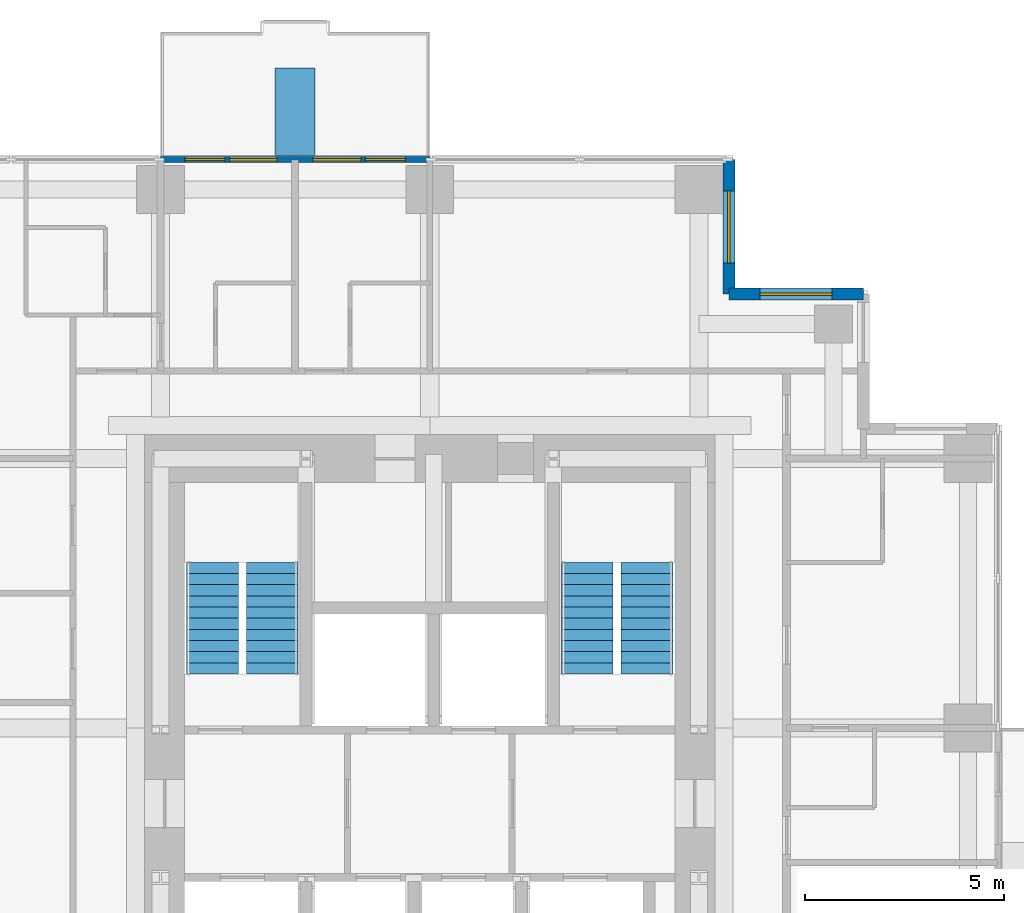
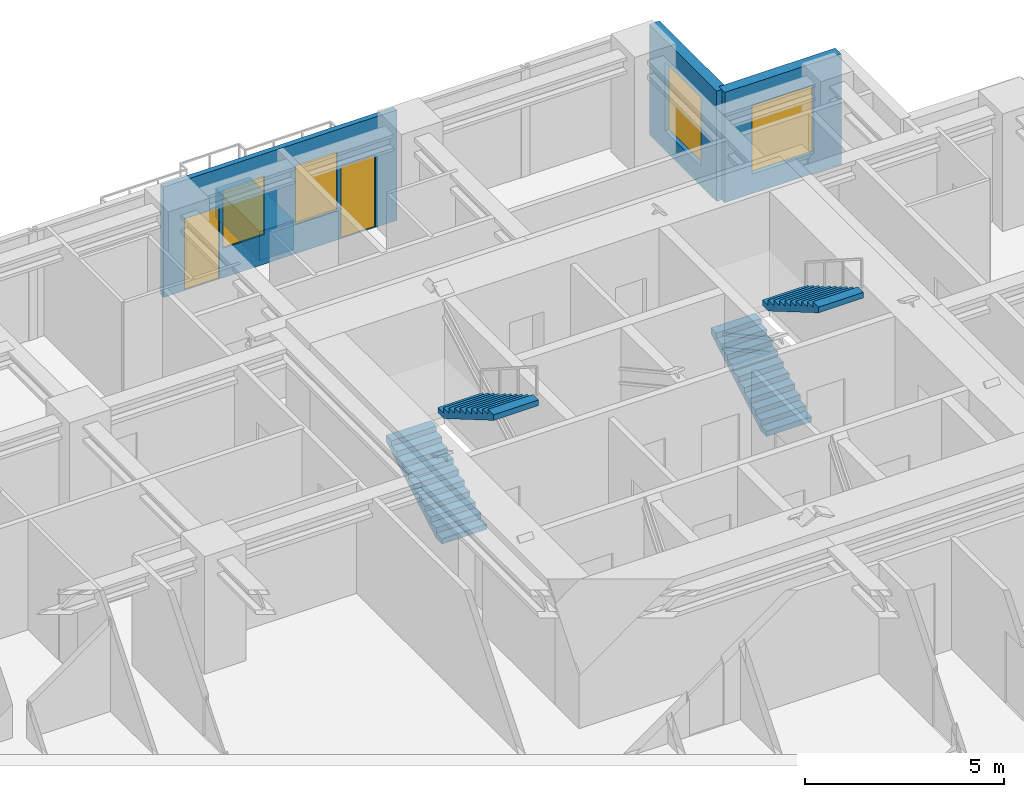
# One storey, part 9 of 10: 4 stair flights, 4 walls, 4 windows, 2 doors, 6 openings, 2 elements without a shape of their own.
"""IFC4 building model written with IfcOpenShell, lengths in metres."""

from ifc_helpers import new_model, si_unit, direction, frame, frame_2d, origin, place, context, subcontext, project, spatial, polyline, rectangle, outline, extrude, material, layer, layer_set, type_object, element, fill, aggregate, save


model = new_model("IFC4")

# Units and contexts
model_context = context("Model", 3, precision=1e-05, world=origin(), true_north=direction((0.0, 1.0)))
body_context = subcontext(model_context, "Body", "Model", "MODEL_VIEW")
ifc_project = project(units=[si_unit("LENGTHUNIT", "METRE"), si_unit("AREAUNIT", "SQUARE_METRE"), si_unit("VOLUMEUNIT", "CUBIC_METRE"), si_unit("PLANEANGLEUNIT", "RADIAN"), si_unit("MASSUNIT", "GRAM", prefix="KILO")], contexts=[model_context])

# Site, building, storey
site_placement = place(None, origin())
site = spatial("IfcSite", under=ifc_project, at=site_placement, CompositionType="ELEMENT")
building_placement = place(site_placement, origin())
building = spatial("IfcBuilding", under=site, at=building_placement, Name="Nyansa Garden Tower", CompositionType="ELEMENT")
storey_placement = place(building_placement, frame((0.0, 0.0, 178.199951171875)))
storey = spatial("IfcBuildingStorey", under=building, at=storey_placement, Name="L48", CompositionType="ELEMENT", Elevation=178.199951171875)

# Wall, openings, doors, windows
ifc_material_1 = material(Name="Black aluminium framed glazed screen", Category="aluminium")
ifc_layer_1 = layer(ifc_material_1, 0.14990234375)
ifc_layer_set_1 = layer_set([ifc_layer_1], Name="Balcony screen wall BW150")
wall_type_1 = type_object("IfcWallType", Name="Balcony screen wall BW150", PredefinedType="SOLIDWALL", material=ifc_layer_set_1)
wall_1_placement = place(storey_placement, frame((13.5, 34.5, 0.0), z_axis=(0.0, 0.0, 1.0), x_axis=(1.0, 0.0, 0.0)))
wall_1 = element("IfcWall", 1, at=wall_1_placement, inside=storey, type_object=wall_type_1, Name="Glazed screen wall L48 N", PredefinedType="SOLIDWALL", context=body_context, shape_type="SweptSolid", body=[
    extrude(rectangle(XDim=6.75, YDim=0.14990234375, at=frame_2d((3.375, 0.0))), origin(), (0.0, 0.0, 1.0), 3.375),
])
opening_1_placement = place(wall_1_placement, frame((0.612548828125, 0.0, 0.0)))
opening_1 = element("IfcOpeningElement", 2, at=opening_1_placement, cuts=wall_1, Name="Opening D20", PredefinedType="OPENING", context=body_context, shape_type="SweptSolid", body=[
    extrude(rectangle(XDim=1.0, YDim=2.199951171875, at=frame_2d((0.5, 1.10009765625))), frame((0.0, 0.0849609375, 0.0), z_axis=(0.0, -1.0, 0.0), x_axis=(1.0, 0.0, 0.0)), (0.0, 0.0, 1.0), 0.169921875),
])
opening_2_placement = place(wall_1_placement, frame((1.72509765625, 0.0, 0.89990234375)))
opening_2 = element("IfcOpeningElement", 3, at=opening_2_placement, cuts=wall_1, Name="Opening W6", PredefinedType="OPENING", context=body_context, shape_type="SweptSolid", body=[
    extrude(rectangle(XDim=1.199951171875, YDim=1.800048828125, at=frame_2d((0.60009765625, 0.89990234375))), frame((0.0, 0.0849609375, 0.0), z_axis=(0.0, -1.0, 0.0), x_axis=(1.0, 0.0, 0.0)), (0.0, 0.0, 1.0), 0.169921875),
])
opening_3_placement = place(wall_1_placement, frame((5.137451171875, 0.0, 0.0)))
opening_3 = element("IfcOpeningElement", 4, at=opening_3_placement, cuts=wall_1, Name="Opening D20", PredefinedType="OPENING", context=body_context, shape_type="SweptSolid", body=[
    extrude(rectangle(XDim=1.0, YDim=2.199951171875, at=frame_2d((0.5, 1.10009765625))), frame((0.0, 0.0849609375, 0.0), z_axis=(0.0, -1.0, 0.0), x_axis=(1.0, 0.0, 0.0)), (0.0, 0.0, 1.0), 0.169921875),
])
opening_4_placement = place(wall_1_placement, frame((3.824951171875, 0.0, 0.89990234375)))
opening_4 = element("IfcOpeningElement", 5, at=opening_4_placement, cuts=wall_1, Name="Opening W6", PredefinedType="OPENING", context=body_context, shape_type="SweptSolid", body=[
    extrude(rectangle(XDim=1.199951171875, YDim=1.800048828125, at=frame_2d((0.60009765625, 0.89990234375))), frame((0.0, 0.0849609375, 0.0), z_axis=(0.0, -1.0, 0.0), x_axis=(1.0, 0.0, 0.0)), (0.0, 0.0, 1.0), 0.169921875),
])
ifc_material_2 = material(Name="Black aluminium framed glazed door", Category="aluminium")
door_type = type_object("IfcDoorType", Name="Balcony door D20 1000x2200", OperationType="NOTDEFINED", PredefinedType="DOOR", material=ifc_material_2)
door_1_placement = place(opening_1_placement, origin())
door_1 = element("IfcDoor", 6, at=door_1_placement, inside=storey, type_object=door_type, Name="Balcony door L48", OperationType="SINGLE_SWING_LEFT", OverallHeight=2.199951171875, OverallWidth=1.0, PredefinedType="DOOR", context=body_context, shape_type="SweptSolid", body=[
    extrude(rectangle(XDim=1.0, YDim=2.199951171875, at=frame_2d((0.5, 1.10009765625))), frame((0.0, 0.02490234375, 0.0), z_axis=(0.0, -1.0, 0.0), x_axis=(1.0, 0.0, 0.0)), (0.0, 0.0, 1.0), 0.050048828125),
])
fill(opening_1, door_1)
door_2_placement = place(opening_3_placement, origin())
door_2 = element("IfcDoor", 7, at=door_2_placement, inside=storey, type_object=door_type, Name="Balcony door L48", OperationType="SINGLE_SWING_RIGHT", OverallHeight=2.199951171875, OverallWidth=1.0, PredefinedType="DOOR", context=body_context, shape_type="SweptSolid", body=[
    extrude(rectangle(XDim=1.0, YDim=2.199951171875, at=frame_2d((0.5, 1.10009765625))), frame((0.0, 0.02490234375, 0.0), z_axis=(0.0, -1.0, 0.0), x_axis=(1.0, 0.0, 0.0)), (0.0, 0.0, 1.0), 0.050048828125),
])
fill(opening_3, door_2)
ifc_material_3 = material(Name="Black aluminium frame, dark tinted double glazing", Category="aluminium")
window_type_1 = type_object("IfcWindowType", Name="Balcony window W6 1200x1800", PartitioningType="SINGLE_PANEL", PredefinedType="WINDOW", material=ifc_material_3)
window_1_placement = place(opening_2_placement, origin())
window_1 = element("IfcWindow", 8, at=window_1_placement, inside=storey, type_object=window_type_1, Name="Window L48", OverallHeight=1.800048828125, OverallWidth=1.199951171875, PartitioningType="SINGLE_PANEL", PredefinedType="WINDOW", context=body_context, shape_type="SweptSolid", body=[
    extrude(rectangle(XDim=1.199951171875, YDim=1.800048828125, at=frame_2d((0.60009765625, 0.89990234375))), frame((0.0, 0.030029296875, 0.0), z_axis=(0.0, -1.0, 0.0), x_axis=(1.0, 0.0, 0.0)), (0.0, 0.0, 1.0), 0.06005859375),
])
fill(opening_2, window_1)
window_2_placement = place(opening_4_placement, origin())
window_2 = element("IfcWindow", 9, at=window_2_placement, inside=storey, type_object=window_type_1, Name="Window L48", OverallHeight=1.800048828125, OverallWidth=1.199951171875, PartitioningType="SINGLE_PANEL", PredefinedType="WINDOW", context=body_context, shape_type="SweptSolid", body=[
    extrude(rectangle(XDim=1.199951171875, YDim=1.800048828125, at=frame_2d((0.60009765625, 0.89990234375))), frame((0.0, 0.030029296875, 0.0), z_axis=(0.0, -1.0, 0.0), x_axis=(1.0, 0.0, 0.0)), (0.0, 0.0, 1.0), 0.06005859375),
])
fill(opening_4, window_2)

# Wall, opening, window
ifc_material_4 = material(Name="Turquoise glazed tile on concrete blockwork", Category="masonry")
ifc_layer_2 = layer(ifc_material_4, 0.300048828125)
ifc_layer_set_2 = layer_set([ifc_layer_2], Name="Tiled corner wall TW300")
wall_type_2 = type_object("IfcWallType", Name="Tiled corner wall TW300", PredefinedType="SOLIDWALL", material=ifc_layer_set_2)
wall_2_placement = place(storey_placement, frame((31.125, 31.125, 0.0), z_axis=(0.0, 0.0, 1.0), x_axis=(-1.0, 0.0, 0.0)))
wall_2 = element("IfcWall", 10, at=wall_2_placement, inside=storey, type_object=wall_type_2, Name="Tiled corner wall L48", PredefinedType="SOLIDWALL", context=body_context, shape_type="SweptSolid", body=[
    extrude(rectangle(XDim=3.375, YDim=0.300048828125, at=frame_2d((1.6875, 0.0))), origin(), (0.0, 0.0, 1.0), 3.375),
])
opening_5_placement = place(wall_2_placement, frame((0.78759765625, 0.0, 0.60009765625)))
opening_5 = element("IfcOpeningElement", 11, at=opening_5_placement, cuts=wall_2, Name="Opening W2", PredefinedType="OPENING", context=body_context, shape_type="SweptSolid", body=[
    extrude(rectangle(XDim=1.800048828125, YDim=2.10009765625, at=frame_2d((0.89990234375, 1.050048828125))), frame((0.0, 0.159912109375, 0.0), z_axis=(0.0, -1.0, 0.0), x_axis=(1.0, 0.0, 0.0)), (0.0, 0.0, 1.0), 0.320068359375),
])
ifc_material_5 = material(Name="Black aluminium frame, dark tinted double glazing", Category="aluminium")
window_type_2 = type_object("IfcWindowType", Name="Window W2 1800x2100", PartitioningType="SINGLE_PANEL", PredefinedType="WINDOW", material=ifc_material_5)
window_3_placement = place(opening_5_placement, origin())
window_3 = element("IfcWindow", 12, at=window_3_placement, inside=storey, type_object=window_type_2, Name="Corner window L48", OverallHeight=2.10009765625, OverallWidth=1.800048828125, PartitioningType="SINGLE_PANEL", PredefinedType="WINDOW", context=body_context, shape_type="SweptSolid", body=[
    extrude(rectangle(XDim=1.800048828125, YDim=2.10009765625, at=frame_2d((0.89990234375, 1.050048828125))), frame((0.0, 0.030029296875, 0.0), z_axis=(0.0, -1.0, 0.0), x_axis=(1.0, 0.0, 0.0)), (0.0, 0.0, 1.0), 0.06005859375),
])
fill(opening_5, window_3)

wall_3_placement = place(storey_placement, frame((27.75, 31.125, 0.0), z_axis=(0.0, 0.0, 1.0), x_axis=(0.0, 1.0, 0.0)))
wall_3 = element("IfcWall", 13, at=wall_3_placement, inside=storey, type_object=wall_type_2, Name="Tiled corner wall L48", PredefinedType="SOLIDWALL", context=body_context, shape_type="SweptSolid", body=[
    extrude(rectangle(XDim=3.375, YDim=0.300048828125, at=frame_2d((1.6875, 0.0))), origin(), (0.0, 0.0, 1.0), 3.375),
])
opening_6_placement = place(wall_3_placement, frame((0.78759765625, 0.0, 0.60009765625)))
opening_6 = element("IfcOpeningElement", 14, at=opening_6_placement, cuts=wall_3, Name="Opening W2", PredefinedType="OPENING", context=body_context, shape_type="SweptSolid", body=[
    extrude(rectangle(XDim=1.800048828125, YDim=2.10009765625, at=frame_2d((0.89990234375, 1.050048828125))), frame((0.0, 0.159912109375, 0.0), z_axis=(0.0, -1.0, 0.0), x_axis=(1.0, 0.0, 0.0)), (0.0, 0.0, 1.0), 0.320068359375),
])
window_4_placement = place(opening_6_placement, origin())
window_4 = element("IfcWindow", 15, at=window_4_placement, inside=storey, type_object=window_type_2, Name="Corner window L48", OverallHeight=2.10009765625, OverallWidth=1.800048828125, PartitioningType="SINGLE_PANEL", PredefinedType="WINDOW", context=body_context, shape_type="SweptSolid", body=[
    extrude(rectangle(XDim=1.800048828125, YDim=2.10009765625, at=frame_2d((0.89990234375, 1.050048828125))), frame((0.0, 0.030029296875, 0.0), z_axis=(0.0, -1.0, 0.0), x_axis=(1.0, 0.0, 0.0)), (0.0, 0.0, 1.0), 0.06005859375),
])
fill(opening_6, window_4)

# Wall
ifc_material_6 = material(Name="Concrete C40/50 planter, waterproofed", Category="concrete")
ifc_layer_3 = layer(ifc_material_6, 1.0)
ifc_layer_set_3 = layer_set([ifc_layer_3], Name="Tree planter TP1")
wall_type_3 = type_object("IfcWallType", Name="Tree planter TP1", PredefinedType="USERDEFINED", material=ifc_layer_set_3)
wall_4_placement = place(storey_placement, frame((16.875, 34.60009765625, 0.0), z_axis=(0.0, 0.0, 1.0), x_axis=(0.0, 1.0, 0.0)))
element("IfcWall", 16, at=wall_4_placement, inside=storey, type_object=wall_type_3, Name="Tree planter L48", ObjectType="TREE PLANTER", PredefinedType="USERDEFINED", context=body_context, shape_type="SweptSolid", body=[
    extrude(rectangle(XDim=2.199951171875, YDim=1.0, at=frame_2d((1.10009765625, 0.0))), origin(), (0.0, 0.0, 1.0), 0.900146484375),
])

# Stair, stair flights
ifc_material_7 = material(Name="Precast concrete C40/50", Category="concrete")
stair_type_1 = type_object("IfcStairType", Name="Stair S1 164x280", PredefinedType="HALF_TURN_STAIR", material=ifc_material_7)
stair_1_placement = place(storey_placement, origin())
stair_1 = element("IfcStair", 17, at=stair_1_placement, inside=storey, type_object=stair_type_1, Name="Stair S1 L48", PredefinedType="HALF_TURN_STAIR")
ifc_material_8 = material(Name="Precast concrete C40/50", Category="concrete")
stair_flight_type_1 = type_object("IfcStairFlightType", Name="Stair flight S1 164x280x11", PredefinedType="STRAIGHT", material=ifc_material_8)
stair_flight_1_placement = place(storey_placement, frame((14.800048828125, 21.60009765625, 0.0), z_axis=(0.0, 0.0, 1.0), x_axis=(0.0, 1.0, 0.0)))
stair_flight_1 = element("IfcStairFlight", 18, at=stair_flight_1_placement, type_object=stair_flight_type_1, Name="S1 flight 1", NumberOfRisers=11, NumberOfTreads=10, PredefinedType="STRAIGHT", RiserHeight=0.163636364, TreadLength=0.28, context=body_context, shape_type="SweptSolid", body=[
    extrude(outline(polyline([(0.0, 0.0), (0.0, 0.16357421875), (0.280029296875, 0.16357421875), (0.280029296875, 0.327392578125), (0.56005859375, 0.327392578125), (0.56005859375, 0.490966796875), (0.840087890625, 0.490966796875), (0.840087890625, 0.654541015625), (1.1201171875, 0.654541015625), (1.1201171875, 0.818115234375), (1.39990234375, 0.818115234375), (1.39990234375, 0.98193359375), (1.679931640625, 0.98193359375), (1.679931640625, 1.1455078125), (1.9599609375, 1.1455078125), (1.9599609375, 1.30908203125), (2.239990234375, 1.30908203125), (2.239990234375, 1.47265625), (2.52001953125, 1.47265625), (2.52001953125, 1.636474609375), (2.800048828125, 1.636474609375), (2.800048828125, 1.800048828125), (2.800048828125, 1.462646484375), (0.297119140625, 0.0), (0.0, 0.0)])), frame((0.0, 0.64990234375, 0.0), z_axis=(0.0, -1.0, 0.0), x_axis=(1.0, 0.0, 0.0)), (0.0, 0.0, 1.0), 1.300048828125),
])
stair_flight_2_placement = place(storey_placement, frame((16.300048828125, 24.39990234375, 1.800048828125), z_axis=(0.0, 0.0, 1.0), x_axis=(0.0, -1.0, 0.0)))
stair_flight_2 = element("IfcStairFlight", 19, at=stair_flight_2_placement, type_object=stair_flight_type_1, Name="S1 flight 2", NumberOfRisers=11, NumberOfTreads=10, PredefinedType="STRAIGHT", RiserHeight=0.163636364, TreadLength=0.28, context=body_context, shape_type="SweptSolid", body=[
    extrude(outline(polyline([(0.0, 0.0), (0.0, 0.16357421875), (0.280029296875, 0.16357421875), (0.280029296875, 0.327392578125), (0.56005859375, 0.327392578125), (0.56005859375, 0.490966796875), (0.840087890625, 0.490966796875), (0.840087890625, 0.654541015625), (1.1201171875, 0.654541015625), (1.1201171875, 0.818115234375), (1.39990234375, 0.818115234375), (1.39990234375, 0.98193359375), (1.679931640625, 0.98193359375), (1.679931640625, 1.1455078125), (1.9599609375, 1.1455078125), (1.9599609375, 1.30908203125), (2.239990234375, 1.30908203125), (2.239990234375, 1.47265625), (2.52001953125, 1.47265625), (2.52001953125, 1.636474609375), (2.800048828125, 1.636474609375), (2.800048828125, 1.800048828125), (2.800048828125, 1.462646484375), (0.297119140625, 0.0), (0.0, 0.0)])), frame((0.0, 0.64990234375, 0.0), z_axis=(0.0, -1.0, 0.0), x_axis=(1.0, 0.0, 0.0)), (0.0, 0.0, 1.0), 1.300048828125),
])
aggregate(stair_1, [stair_flight_1, stair_flight_2])

ifc_material_9 = material(Name="Precast concrete C40/50", Category="concrete")
stair_type_2 = type_object("IfcStairType", Name="Stair S2 164x280", PredefinedType="HALF_TURN_STAIR", material=ifc_material_9)
stair_2_placement = place(storey_placement, origin())
stair_2 = element("IfcStair", 20, at=stair_2_placement, inside=storey, type_object=stair_type_2, Name="Stair S2 L48", PredefinedType="HALF_TURN_STAIR")
ifc_material_10 = material(Name="Precast concrete C40/50", Category="concrete")
stair_flight_type_2 = type_object("IfcStairFlightType", Name="Stair flight S2 164x280x11", PredefinedType="STRAIGHT", material=ifc_material_10)
stair_flight_3_placement = place(storey_placement, frame((24.199951171875, 21.60009765625, 0.0), z_axis=(0.0, 0.0, 1.0), x_axis=(0.0, 1.0, 0.0)))
stair_flight_3 = element("IfcStairFlight", 21, at=stair_flight_3_placement, type_object=stair_flight_type_2, Name="S2 flight 1", NumberOfRisers=11, NumberOfTreads=10, PredefinedType="STRAIGHT", RiserHeight=0.163636364, TreadLength=0.28, context=body_context, shape_type="SweptSolid", body=[
    extrude(outline(polyline([(0.0, 0.0), (0.0, 0.16357421875), (0.280029296875, 0.16357421875), (0.280029296875, 0.327392578125), (0.56005859375, 0.327392578125), (0.56005859375, 0.490966796875), (0.840087890625, 0.490966796875), (0.840087890625, 0.654541015625), (1.1201171875, 0.654541015625), (1.1201171875, 0.818115234375), (1.39990234375, 0.818115234375), (1.39990234375, 0.98193359375), (1.679931640625, 0.98193359375), (1.679931640625, 1.1455078125), (1.9599609375, 1.1455078125), (1.9599609375, 1.30908203125), (2.239990234375, 1.30908203125), (2.239990234375, 1.47265625), (2.52001953125, 1.47265625), (2.52001953125, 1.636474609375), (2.800048828125, 1.636474609375), (2.800048828125, 1.800048828125), (2.800048828125, 1.462646484375), (0.297119140625, 0.0), (0.0, 0.0)])), frame((0.0, 0.64990234375, 0.0), z_axis=(0.0, -1.0, 0.0), x_axis=(1.0, 0.0, 0.0)), (0.0, 0.0, 1.0), 1.300048828125),
])
stair_flight_4_placement = place(storey_placement, frame((25.699951171875, 24.39990234375, 1.800048828125), z_axis=(0.0, 0.0, 1.0), x_axis=(0.0, -1.0, 0.0)))
stair_flight_4 = element("IfcStairFlight", 22, at=stair_flight_4_placement, type_object=stair_flight_type_2, Name="S2 flight 2", NumberOfRisers=11, NumberOfTreads=10, PredefinedType="STRAIGHT", RiserHeight=0.163636364, TreadLength=0.28, context=body_context, shape_type="SweptSolid", body=[
    extrude(outline(polyline([(0.0, 0.0), (0.0, 0.16357421875), (0.280029296875, 0.16357421875), (0.280029296875, 0.327392578125), (0.56005859375, 0.327392578125), (0.56005859375, 0.490966796875), (0.840087890625, 0.490966796875), (0.840087890625, 0.654541015625), (1.1201171875, 0.654541015625), (1.1201171875, 0.818115234375), (1.39990234375, 0.818115234375), (1.39990234375, 0.98193359375), (1.679931640625, 0.98193359375), (1.679931640625, 1.1455078125), (1.9599609375, 1.1455078125), (1.9599609375, 1.30908203125), (2.239990234375, 1.30908203125), (2.239990234375, 1.47265625), (2.52001953125, 1.47265625), (2.52001953125, 1.636474609375), (2.800048828125, 1.636474609375), (2.800048828125, 1.800048828125), (2.800048828125, 1.462646484375), (0.297119140625, 0.0), (0.0, 0.0)])), frame((0.0, 0.64990234375, 0.0), z_axis=(0.0, -1.0, 0.0), x_axis=(1.0, 0.0, 0.0)), (0.0, 0.0, 1.0), 1.300048828125),
])
aggregate(stair_2, [stair_flight_3, stair_flight_4])

save(model, "model.ifc")
